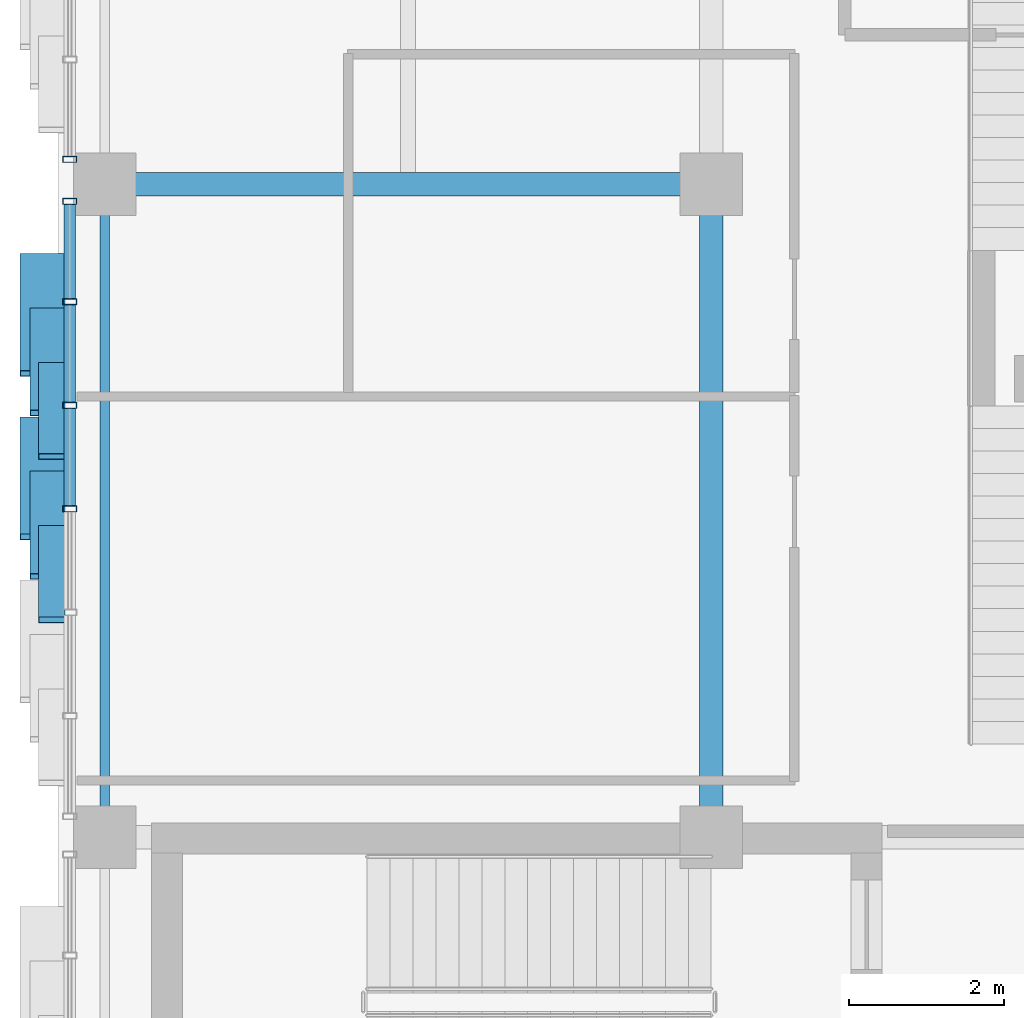
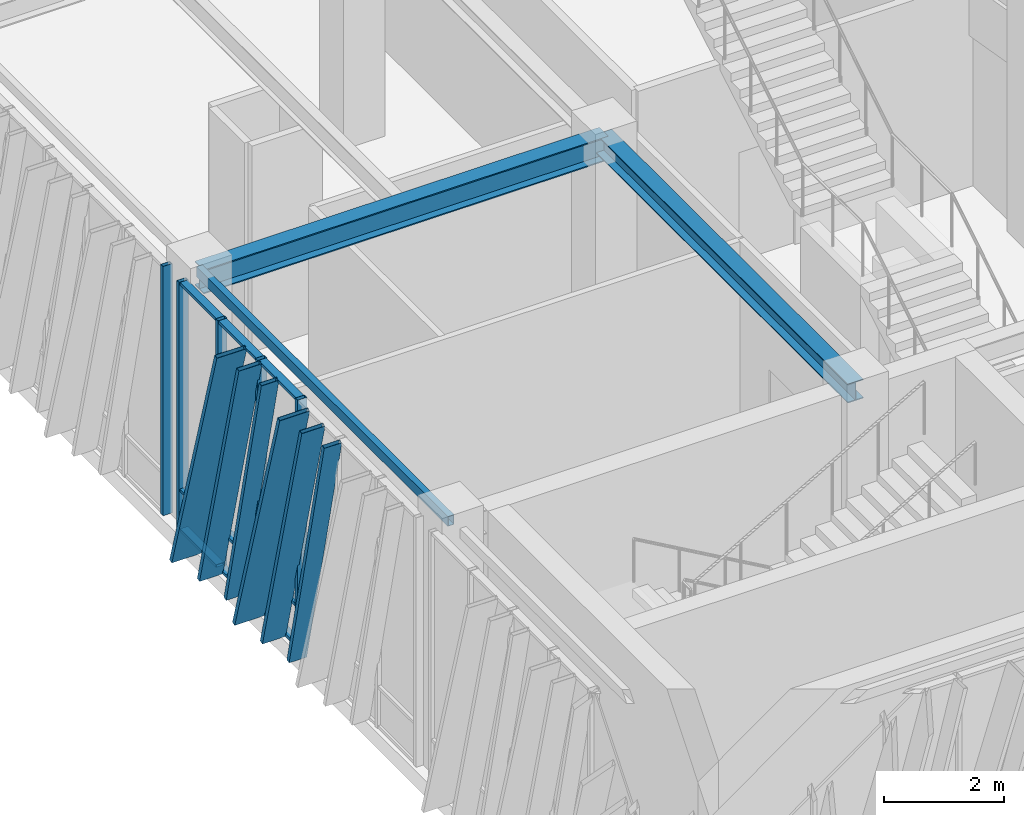
# One storey, part 33 of 122: 20 members, 3 beams, 2 elements without a shape of their own.
"""IFC4 building model written with IfcOpenShell, lengths in metres."""

from ifc_helpers import new_model, si_unit, direction, frame, origin, origin_2d, place, context, subcontext, project, spatial, hollow_rectangle, i_section, extrude, material, layer, layer_set, material_profile, profile_set, type_object, element, aggregate, save


model = new_model("IFC4")

# Units and contexts
model_context = context("Model", 3, precision=1e-05, world=origin(), true_north=direction((0.0, 1.0)))
body_context = subcontext(model_context, "Body", "Model", "MODEL_VIEW")
ifc_project = project(units=[si_unit("LENGTHUNIT", "METRE"), si_unit("AREAUNIT", "SQUARE_METRE"), si_unit("VOLUMEUNIT", "CUBIC_METRE"), si_unit("PLANEANGLEUNIT", "RADIAN"), si_unit("MASSUNIT", "GRAM", prefix="KILO")], contexts=[model_context])

# Site, building, storey
site_placement = place(None, origin())
site = spatial("IfcSite", under=ifc_project, at=site_placement, CompositionType="ELEMENT")
building_placement = place(site_placement, origin())
building = spatial("IfcBuilding", under=site, at=building_placement, Name="Zayran Congress Hotel", CompositionType="ELEMENT")
storey_placement = place(building_placement, origin())
storey = spatial("IfcBuildingStorey", under=building, at=storey_placement, Name="L00", CompositionType="ELEMENT", Elevation=0.0)

# Beams
ifc_material_1 = material(Name="Steel S355", Category="steel")
ifc_material_profile_1 = material_profile(ifc_material_1, i_section(OverallWidth=0.300048828125, OverallDepth=0.489990234375, WebThickness=0.011962890625, FlangeThickness=0.02294921875, at=origin_2d()), Name="HEA 500")
ifc_profile_set_1 = profile_set([ifc_material_profile_1], Name="Steel S355")
beam_type_1 = type_object("IfcBeamType", Name="TP-BM-05", PredefinedType="BEAM", material=ifc_profile_set_1)
beam_1_placement = place(storey_placement, frame((9.0, 84.39990234375, 4.8349609375), z_axis=(1.0, 0.0, 0.0), x_axis=(0.0, 1.0, 0.0)))
element("IfcBeam", 1, at=beam_1_placement, inside=storey, type_object=beam_type_1, Name="BM-V1-L00-0409", PredefinedType="BEAM", context=body_context, shape_type="SweptSolid", body=[
    extrude(i_section(OverallWidth=0.300048828125, OverallDepth=0.489990234375, WebThickness=0.011962890625, FlangeThickness=0.02294921875, at=origin_2d()), origin(), (0.0, 0.0, 1.0), 7.800048828125),
])
ifc_material_profile_2 = material_profile(ifc_material_1, i_section(OverallWidth=0.300048828125, OverallDepth=0.389892578125, WebThickness=0.010986328125, FlangeThickness=0.01904296875, at=origin_2d()), Name="HEA 400")
ifc_profile_set_2 = profile_set([ifc_material_profile_2], Name="Steel S355")
beam_type_2 = type_object("IfcBeamType", Name="TP-BM-06", PredefinedType="BEAM", material=ifc_profile_set_2)
beam_2_placement = place(storey_placement, frame((16.800048828125, 76.0, 4.885009765625), z_axis=(0.0, 1.0, 0.0), x_axis=(-1.0, 0.0, 0.0)))
element("IfcBeam", 2, at=beam_2_placement, inside=storey, type_object=beam_type_2, Name="BM-V1-L00-0451", PredefinedType="BEAM", context=body_context, shape_type="SweptSolid", body=[
    extrude(i_section(OverallWidth=0.300048828125, OverallDepth=0.389892578125, WebThickness=0.010986328125, FlangeThickness=0.01904296875, at=origin_2d()), origin(), (0.0, 0.0, 1.0), 8.39990234375),
])
ifc_material_profile_3 = material_profile(ifc_material_1, hollow_rectangle(XDim=0.1201171875, YDim=0.199951171875, WallThickness=0.008056640625, at=origin_2d()), Name="RHS 200x120x8")
ifc_profile_set_3 = profile_set([ifc_material_profile_3], Name="Steel S355")
beam_type_3 = type_object("IfcBeamType", Name="TP-SP-02", PredefinedType="SPANDREL", material=ifc_profile_set_3)
beam_3_placement = place(storey_placement, frame((9.0, 76.0, 4.97998046875), z_axis=(0.0, 1.0, 0.0), x_axis=(-1.0, 0.0, 0.0)))
element("IfcBeam", 3, at=beam_3_placement, inside=storey, type_object=beam_type_3, Name="BM-V1-L00-0446", PredefinedType="SPANDREL", context=body_context, shape_type="SweptSolid", body=[
    extrude(hollow_rectangle(XDim=0.1201171875, YDim=0.199951171875, WallThickness=0.008056640625, at=origin_2d()), origin(), (0.0, 0.0, 1.0), 8.39990234375),
])

# Curtain wall, members
ifc_material_2 = material(Name="Anodised aluminium and low-E insulated glass", Category="aluminium")
ifc_layer_1 = layer(ifc_material_2, 0.179931640625)
ifc_layer_set_1 = layer_set([ifc_layer_1], Name="Anodised aluminium and low-E insulated glass")
curtain_wall_type_1 = type_object("IfcCurtainWallType", Name="CW-V1W-L00-CW-32-7990-5080", PredefinedType="USERDEFINED", material=ifc_layer_set_1)
curtain_wall_1_placement = place(storey_placement, origin())
curtain_wall_1 = element("IfcCurtainWall", 4, at=curtain_wall_1_placement, inside=storey, type_object=curtain_wall_type_1, Name="CW-V1W-L00-1", ObjectType="CURTAIN WALL", PredefinedType="USERDEFINED")
ifc_material_3 = material(Name="Anodised aluminium framing", Category="aluminium")
ifc_material_profile_4 = material_profile(ifc_material_3, hollow_rectangle(XDim=0.080078125, YDim=0.179931640625, WallThickness=0.0048828125, at=origin_2d()), Name="RHS 180x80x5")
ifc_profile_set_4 = profile_set([ifc_material_profile_4], Name="Anodised aluminium framing")
member_type_1 = type_object("IfcMemberType", Name="TP-CWM-01", PredefinedType="MULLION", material=ifc_profile_set_4)
member_1_placement = place(storey_placement, frame((8.550048828125, 84.179931640625, 0.0), z_axis=(0.0, 0.0, 1.0), x_axis=(0.0, 1.0, 0.0)))
member_1 = element("IfcMember", 5, at=member_1_placement, type_object=member_type_1, Name="CW-V1W-L00-1-M00", PredefinedType="MULLION", context=body_context, shape_type="SweptSolid", body=[
    extrude(hollow_rectangle(XDim=0.080078125, YDim=0.179931640625, WallThickness=0.0048828125, at=origin_2d()), origin(), (0.0, 0.0, 1.0), 5.080078125),
])
member_2_placement = place(storey_placement, frame((8.550048828125, 82.88818359375, 0.0), z_axis=(0.0, 0.0, 1.0), x_axis=(0.0, 1.0, 0.0)))
member_2 = element("IfcMember", 6, at=member_2_placement, type_object=member_type_1, Name="CW-V1W-L00-1-M01", PredefinedType="MULLION", context=body_context, shape_type="SweptSolid", body=[
    extrude(hollow_rectangle(XDim=0.080078125, YDim=0.179931640625, WallThickness=0.0048828125, at=origin_2d()), origin(), (0.0, 0.0, 1.0), 5.080078125),
])
member_3_placement = place(storey_placement, frame((8.550048828125, 81.556640625, 0.0), z_axis=(0.0, 0.0, 1.0), x_axis=(0.0, 1.0, 0.0)))
member_3 = element("IfcMember", 7, at=member_3_placement, type_object=member_type_1, Name="CW-V1W-L00-1-M02", PredefinedType="MULLION", context=body_context, shape_type="SweptSolid", body=[
    extrude(hollow_rectangle(XDim=0.080078125, YDim=0.179931640625, WallThickness=0.0048828125, at=origin_2d()), origin(), (0.0, 0.0, 1.0), 5.080078125),
])
member_4_placement = place(storey_placement, frame((8.550048828125, 80.22509765625, 0.0), z_axis=(0.0, 0.0, 1.0), x_axis=(0.0, 1.0, 0.0)))
member_4 = element("IfcMember", 8, at=member_4_placement, type_object=member_type_1, Name="CW-V1W-L00-1-M03", PredefinedType="MULLION", context=body_context, shape_type="SweptSolid", body=[
    extrude(hollow_rectangle(XDim=0.080078125, YDim=0.179931640625, WallThickness=0.0048828125, at=origin_2d()), origin(), (0.0, 0.0, 1.0), 5.080078125),
])

# Curtain wall, member
ifc_layer_2 = layer(ifc_material_2, 0.179931640625)
ifc_layer_set_2 = layer_set([ifc_layer_2], Name="Anodised aluminium and low-E insulated glass")
curtain_wall_type_2 = type_object("IfcCurtainWallType", Name="CW-V1W-L00-CW-31-7940-5080", PredefinedType="USERDEFINED", material=ifc_layer_set_2)
curtain_wall_2_placement = place(storey_placement, origin())
curtain_wall_2 = element("IfcCurtainWall", 9, at=curtain_wall_2_placement, inside=storey, type_object=curtain_wall_type_2, Name="CW-V1W-L00-2", ObjectType="CURTAIN WALL", PredefinedType="USERDEFINED")
member_5_placement = place(storey_placement, frame((8.550048828125, 84.719970703125, 0.0), z_axis=(0.0, 0.0, 1.0), x_axis=(0.0, 1.0, 0.0)))
member_5 = element("IfcMember", 10, at=member_5_placement, type_object=member_type_1, Name="CW-V1W-L00-2-M06", PredefinedType="MULLION", context=body_context, shape_type="SweptSolid", body=[
    extrude(hollow_rectangle(XDim=0.080078125, YDim=0.179931640625, WallThickness=0.0048828125, at=origin_2d()), origin(), (0.0, 0.0, 1.0), 5.080078125),
])
aggregate(curtain_wall_2, [member_5])

# Member
ifc_material_profile_5 = material_profile(ifc_material_3, hollow_rectangle(XDim=0.06005859375, YDim=0.14990234375, WallThickness=0.00390625, at=origin_2d()), Name="RHS 150x60x4")
ifc_profile_set_5 = profile_set([ifc_material_profile_5], Name="Anodised aluminium framing")
member_type_2 = type_object("IfcMemberType", Name="TP-CWT-01", PredefinedType="USERDEFINED", material=ifc_profile_set_5)
member_6_placement = place(storey_placement, frame((8.550048828125, 84.139892578125, 0.030029296875), z_axis=(0.0, -1.0, 0.0), x_axis=(0.0, 0.0, 1.0)))
member_6 = element("IfcMember", 11, at=member_6_placement, type_object=member_type_2, Name="CW-V1W-L00-1-T00-0", ObjectType="TRANSOM", PredefinedType="USERDEFINED", context=body_context, shape_type="SweptSolid", body=[
    extrude(hollow_rectangle(XDim=0.06005859375, YDim=0.14990234375, WallThickness=0.00390625, at=origin_2d()), origin(), (0.0, 0.0, 1.0), 1.211669921875),
])

member_7_placement = place(storey_placement, frame((8.550048828125, 84.139892578125, 0.840087890625), z_axis=(0.0, -1.0, 0.0), x_axis=(0.0, 0.0, 1.0)))
member_7 = element("IfcMember", 12, at=member_7_placement, type_object=member_type_2, Name="CW-V1W-L00-1-T00-1", ObjectType="TRANSOM", PredefinedType="USERDEFINED", context=body_context, shape_type="SweptSolid", body=[
    extrude(hollow_rectangle(XDim=0.06005859375, YDim=0.14990234375, WallThickness=0.00390625, at=origin_2d()), origin(), (0.0, 0.0, 1.0), 1.211669921875),
])

member_8_placement = place(storey_placement, frame((8.550048828125, 84.139892578125, 5.050048828125), z_axis=(0.0, -1.0, 0.0), x_axis=(0.0, 0.0, 1.0)))
member_8 = element("IfcMember", 13, at=member_8_placement, type_object=member_type_2, Name="CW-V1W-L00-1-T00-2", ObjectType="TRANSOM", PredefinedType="USERDEFINED", context=body_context, shape_type="SweptSolid", body=[
    extrude(hollow_rectangle(XDim=0.06005859375, YDim=0.14990234375, WallThickness=0.00390625, at=origin_2d()), origin(), (0.0, 0.0, 1.0), 1.211669921875),
])

member_9_placement = place(storey_placement, frame((8.550048828125, 82.848388671875, 0.030029296875), z_axis=(0.0, -1.0, 0.0), x_axis=(0.0, 0.0, 1.0)))
member_9 = element("IfcMember", 14, at=member_9_placement, type_object=member_type_2, Name="CW-V1W-L00-1-T01-0", ObjectType="TRANSOM", PredefinedType="USERDEFINED", context=body_context, shape_type="SweptSolid", body=[
    extrude(hollow_rectangle(XDim=0.06005859375, YDim=0.14990234375, WallThickness=0.00390625, at=origin_2d()), origin(), (0.0, 0.0, 1.0), 1.251708984375),
])

member_10_placement = place(storey_placement, frame((8.550048828125, 82.848388671875, 0.840087890625), z_axis=(0.0, -1.0, 0.0), x_axis=(0.0, 0.0, 1.0)))
member_10 = element("IfcMember", 15, at=member_10_placement, type_object=member_type_2, Name="CW-V1W-L00-1-T01-1", ObjectType="TRANSOM", PredefinedType="USERDEFINED", context=body_context, shape_type="SweptSolid", body=[
    extrude(hollow_rectangle(XDim=0.06005859375, YDim=0.14990234375, WallThickness=0.00390625, at=origin_2d()), origin(), (0.0, 0.0, 1.0), 1.251708984375),
])

member_11_placement = place(storey_placement, frame((8.550048828125, 82.848388671875, 5.050048828125), z_axis=(0.0, -1.0, 0.0), x_axis=(0.0, 0.0, 1.0)))
member_11 = element("IfcMember", 16, at=member_11_placement, type_object=member_type_2, Name="CW-V1W-L00-1-T01-2", ObjectType="TRANSOM", PredefinedType="USERDEFINED", context=body_context, shape_type="SweptSolid", body=[
    extrude(hollow_rectangle(XDim=0.06005859375, YDim=0.14990234375, WallThickness=0.00390625, at=origin_2d()), origin(), (0.0, 0.0, 1.0), 1.251708984375),
])

member_12_placement = place(storey_placement, frame((8.550048828125, 81.5166015625, 0.030029296875), z_axis=(0.0, -1.0, 0.0), x_axis=(0.0, 0.0, 1.0)))
member_12 = element("IfcMember", 17, at=member_12_placement, type_object=member_type_2, Name="CW-V1W-L00-1-T02-0", ObjectType="TRANSOM", PredefinedType="USERDEFINED", context=body_context, shape_type="SweptSolid", body=[
    extrude(hollow_rectangle(XDim=0.06005859375, YDim=0.14990234375, WallThickness=0.00390625, at=origin_2d()), origin(), (0.0, 0.0, 1.0), 1.251708984375),
])

member_13_placement = place(storey_placement, frame((8.550048828125, 81.5166015625, 0.840087890625), z_axis=(0.0, -1.0, 0.0), x_axis=(0.0, 0.0, 1.0)))
member_13 = element("IfcMember", 18, at=member_13_placement, type_object=member_type_2, Name="CW-V1W-L00-1-T02-1", ObjectType="TRANSOM", PredefinedType="USERDEFINED", context=body_context, shape_type="SweptSolid", body=[
    extrude(hollow_rectangle(XDim=0.06005859375, YDim=0.14990234375, WallThickness=0.00390625, at=origin_2d()), origin(), (0.0, 0.0, 1.0), 1.251708984375),
])

member_14_placement = place(storey_placement, frame((8.550048828125, 81.5166015625, 5.050048828125), z_axis=(0.0, -1.0, 0.0), x_axis=(0.0, 0.0, 1.0)))
member_14 = element("IfcMember", 19, at=member_14_placement, type_object=member_type_2, Name="CW-V1W-L00-1-T02-2", ObjectType="TRANSOM", PredefinedType="USERDEFINED", context=body_context, shape_type="SweptSolid", body=[
    extrude(hollow_rectangle(XDim=0.06005859375, YDim=0.14990234375, WallThickness=0.00390625, at=origin_2d()), origin(), (0.0, 0.0, 1.0), 1.251708984375),
])

ifc_material_4 = material(Name="Warm bronze anodised aluminium", Category="aluminium")
ifc_material_profile_6 = material_profile(ifc_material_4, hollow_rectangle(XDim=0.080078125, YDim=0.580078125, WallThickness=0.006103515625, at=origin_2d()), Name="RHS 580x80x6")
ifc_profile_set_6 = profile_set([ifc_material_profile_6], Name="Warm bronze anodised aluminium")
member_type_3 = type_object("IfcMemberType", Name="TP-RFN-01", PredefinedType="MULLION", material=ifc_profile_set_6)
member_15_placement = place(storey_placement, frame((8.199951171875, 83.469970703125, 0.0), z_axis=(0.0, -0.284031848834, 0.958814845968), x_axis=(0.0, 0.958814845968, 0.284031848834)))
member_15 = element("IfcMember", 20, at=member_15_placement, type_object=member_type_3, Name="Slanting Reed Mullion CW-32-01", PredefinedType="MULLION", context=body_context, shape_type="SweptSolid", body=[
    extrude(hollow_rectangle(XDim=0.080078125, YDim=0.580078125, WallThickness=0.006103515625, at=origin_2d()), origin(), (0.0, 0.0, 1.0), 5.29833984375),
])

member_16_placement = place(storey_placement, frame((8.199951171875, 81.3701171875, 0.0), z_axis=(0.0, -0.284031848834, 0.958814845968), x_axis=(0.0, 0.958814845968, 0.284031848834)))
member_16 = element("IfcMember", 21, at=member_16_placement, type_object=member_type_3, Name="Slanting Reed Mullion CW-32-04", PredefinedType="MULLION", context=body_context, shape_type="SweptSolid", body=[
    extrude(hollow_rectangle(XDim=0.080078125, YDim=0.580078125, WallThickness=0.006103515625, at=origin_2d()), origin(), (0.0, 0.0, 1.0), 5.29833984375),
])

ifc_material_profile_7 = material_profile(ifc_material_4, hollow_rectangle(XDim=0.080078125, YDim=0.449951171875, WallThickness=0.006103515625, at=origin_2d()), Name="RHS 450x80x6")
ifc_profile_set_7 = profile_set([ifc_material_profile_7], Name="Warm bronze anodised aluminium")
member_type_4 = type_object("IfcMemberType", Name="TP-RFN-02", PredefinedType="MULLION", material=ifc_profile_set_7)
member_17_placement = place(storey_placement, frame((8.264892578125, 82.77001953125, 0.0), z_axis=(0.0, -0.250366279854, 0.968151189594), x_axis=(0.0, 0.968151189594, 0.250366279854)))
member_17 = element("IfcMember", 22, at=member_17_placement, type_object=member_type_4, Name="Slanting Reed Mullion CW-32-02", PredefinedType="MULLION", context=body_context, shape_type="SweptSolid", body=[
    extrude(hollow_rectangle(XDim=0.080078125, YDim=0.449951171875, WallThickness=0.006103515625, at=origin_2d()), origin(), (0.0, 0.0, 1.0), 5.247314453125),
])

member_18_placement = place(storey_placement, frame((8.264892578125, 80.669921875, 0.0), z_axis=(0.0, -0.250366279854, 0.968151189594), x_axis=(0.0, 0.968151189594, 0.250366279854)))
member_18 = element("IfcMember", 23, at=member_18_placement, type_object=member_type_4, Name="Slanting Reed Mullion CW-32-05", PredefinedType="MULLION", context=body_context, shape_type="SweptSolid", body=[
    extrude(hollow_rectangle(XDim=0.080078125, YDim=0.449951171875, WallThickness=0.006103515625, at=origin_2d()), origin(), (0.0, 0.0, 1.0), 5.247314453125),
])

ifc_material_profile_8 = material_profile(ifc_material_4, hollow_rectangle(XDim=0.080078125, YDim=0.340087890625, WallThickness=0.006103515625, at=origin_2d()), Name="RHS 340x80x6")
ifc_profile_set_8 = profile_set([ifc_material_profile_8], Name="Warm bronze anodised aluminium")
member_type_5 = type_object("IfcMemberType", Name="TP-RFN-03", PredefinedType="MULLION", material=ifc_profile_set_8)
member_19_placement = place(storey_placement, frame((8.320068359375, 82.070068359375, 0.0), z_axis=(0.0, -0.224955263497, 0.974369093016), x_axis=(0.0, 0.974369093016, 0.224955263497)))
member_19 = element("IfcMember", 24, at=member_19_placement, type_object=member_type_5, Name="Slanting Reed Mullion CW-32-03", PredefinedType="MULLION", context=body_context, shape_type="SweptSolid", body=[
    extrude(hollow_rectangle(XDim=0.080078125, YDim=0.340087890625, WallThickness=0.006103515625, at=origin_2d()), origin(), (0.0, 0.0, 1.0), 5.213623046875),
])

member_20_placement = place(storey_placement, frame((8.320068359375, 79.969970703125, 0.0), z_axis=(0.0, -0.224955263497, 0.974369093016), x_axis=(0.0, 0.974369093016, 0.224955263497)))
member_20 = element("IfcMember", 25, at=member_20_placement, type_object=member_type_5, Name="Slanting Reed Mullion CW-32-06", PredefinedType="MULLION", context=body_context, shape_type="SweptSolid", body=[
    extrude(hollow_rectangle(XDim=0.080078125, YDim=0.340087890625, WallThickness=0.006103515625, at=origin_2d()), origin(), (0.0, 0.0, 1.0), 5.213623046875),
])

aggregate(curtain_wall_1, [member_1, member_2, member_3, member_4, member_6, member_7, member_8, member_9, member_10, member_11, member_12, member_13, member_14, member_15, member_17, member_19, member_16, member_18, member_20])

save(model, "model.ifc")
